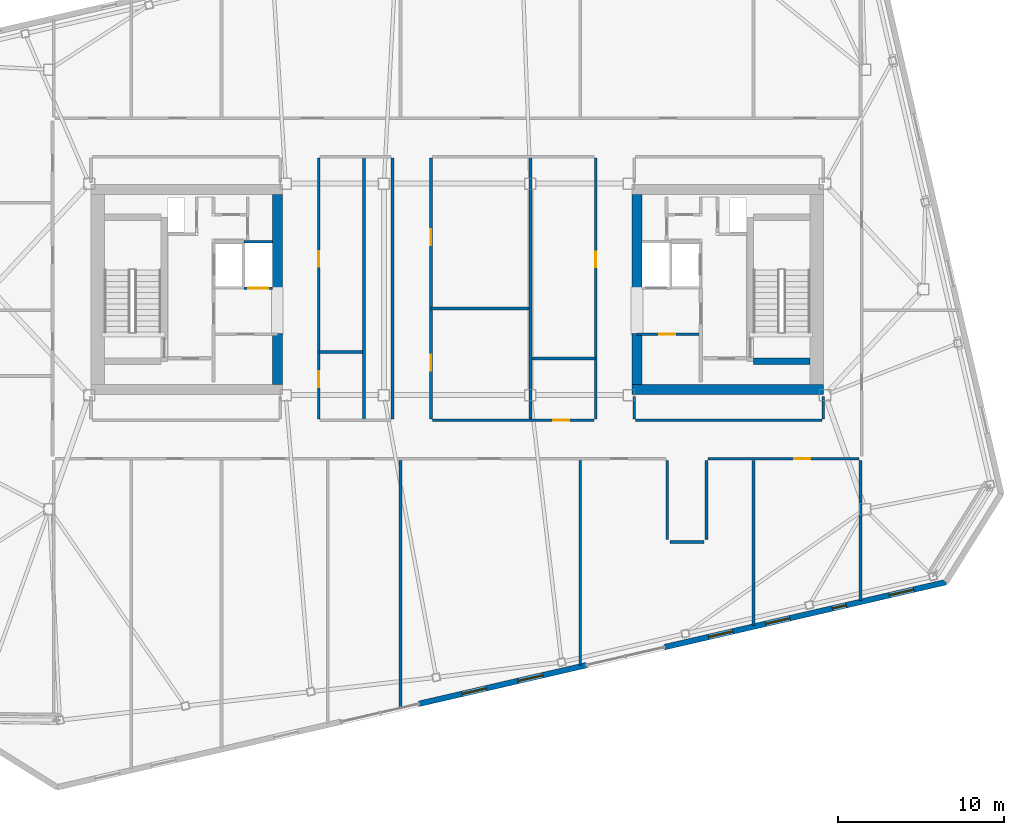
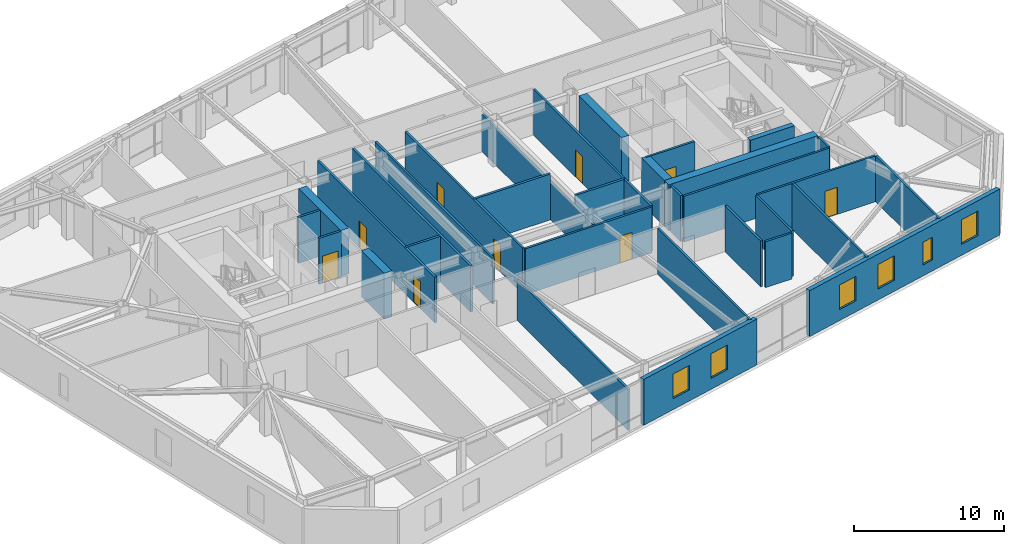
# One storey, part 17 of 23: 32 walls, 9 doors, 6 windows, 15 openings.
"""IFC4 building model written with IfcOpenShell, lengths in metres."""

from ifc_helpers import new_model, si_unit, direction, frame, frame_2d, origin, place, context, subcontext, project, spatial, rectangle, extrude, material, layer, layer_set, type_object, element, fill, save


model = new_model("IFC4")

# Units and contexts
model_context = context("Model", 3, precision=1e-05, world=origin(), true_north=direction((0.0, 1.0)))
body_context = subcontext(model_context, "Body", "Model", "MODEL_VIEW")
ifc_project = project(units=[si_unit("LENGTHUNIT", "METRE"), si_unit("AREAUNIT", "SQUARE_METRE"), si_unit("VOLUMEUNIT", "CUBIC_METRE"), si_unit("PLANEANGLEUNIT", "RADIAN"), si_unit("MASSUNIT", "GRAM", prefix="KILO")], contexts=[model_context])

# Site, building, storey
site_placement = place(None, origin())
site = spatial("IfcSite", under=ifc_project, at=site_placement, CompositionType="ELEMENT")
building_placement = place(site_placement, origin())
building = spatial("IfcBuilding", under=site, at=building_placement, Name="Tavrogorsk Clinical Tower", CompositionType="ELEMENT")
storey_placement = place(building_placement, frame((0.0, 0.0, 297.0)))
storey = spatial("IfcBuildingStorey", under=building, at=storey_placement, Name="L69", CompositionType="ELEMENT", Elevation=297.0)

# Wall, opening, door
ifc_material_1 = material(Name="Lightweight concrete blockwork B15", Category="masonry")
ifc_layer_1 = layer(ifc_material_1, 0.159912109375)
ifc_layer_set_1 = layer_set([ifc_layer_1], Name="Lightweight concrete blockwork B15")
wall_type_1 = type_object("IfcWallType", Name="PartitionWall_160", PredefinedType="PARTITIONING", material=ifc_layer_set_1)
wall_1_placement = place(storey_placement, frame((10.800048828125, -2.699951171875, 0.0), z_axis=(0.0, 0.0, 1.0), x_axis=(1.0, 0.0, 0.0)))
wall_1 = element("IfcWall", 1, at=wall_1_placement, inside=storey, type_object=wall_type_1, Name="L69 Core East Freed Mid-Bank North Partition", PredefinedType="PARTITIONING", context=body_context, shape_type="SweptSolid", body=[
    extrude(rectangle(XDim=3.73486328125, YDim=0.159912109375, at=frame_2d((1.867431640625, 0.0))), origin(), (0.0, 0.0, 1.0), 3.739990234375),
])
opening_1_placement = place(wall_1_placement, frame((1.35009765625, 0.0, 0.0)))
opening_1 = element("IfcOpeningElement", 2, at=opening_1_placement, cuts=wall_1, Name="Opening ID-02", PredefinedType="OPENING", context=body_context, shape_type="SweptSolid", body=[
    extrude(rectangle(XDim=0.949951171875, YDim=2.199951171875, at=frame_2d((0.47509765625, 1.10009765625))), frame((0.0, 0.08984375, 0.0), z_axis=(0.0, -1.0, 0.0), x_axis=(1.0, 0.0, 0.0)), (0.0, 0.0, 1.0), 0.179931640625),
])
ifc_material_2 = material(Name="Laminated timber leaf on aluminium frame", Category="wood")
door_type_1 = type_object("IfcDoorType", Name="InteriorDoor_ID02_950", OperationType="NOTDEFINED", PredefinedType="DOOR", material=ifc_material_2)
door_1_placement = place(opening_1_placement, origin())
door_1 = element("IfcDoor", 3, at=door_1_placement, inside=storey, type_object=door_type_1, Name="L69 Core East Pharmacy Prep Door", OperationType="SINGLE_SWING_LEFT", OverallHeight=2.199951171875, OverallWidth=0.949951171875, PredefinedType="DOOR", context=body_context, shape_type="SweptSolid", body=[
    extrude(rectangle(XDim=0.949951171875, YDim=2.199951171875, at=frame_2d((0.47509765625, 1.10009765625))), frame((0.0, 0.02490234375, 0.0), z_axis=(0.0, -1.0, 0.0), x_axis=(1.0, 0.0, 0.0)), (0.0, 0.0, 1.0), 0.050048828125),
])
fill(opening_1, door_1)

wall_2_placement = place(storey_placement, frame((24.14501953125, -10.179931640625, 0.0), z_axis=(0.0, 0.0, 1.0), x_axis=(-1.0, 0.0, 0.0)))
wall_2 = element("IfcWall", 4, at=wall_2_placement, inside=storey, type_object=wall_type_1, Name="L69 Corridor Partition 04", PredefinedType="PARTITIONING", context=body_context, shape_type="SweptSolid", body=[
    extrude(rectangle(XDim=9.080078125, YDim=0.159912109375, at=frame_2d((4.5400390625, 0.0))), origin(), (0.0, 0.0, 1.0), 3.739990234375),
])
opening_2_placement = place(wall_2_placement, frame((2.93408203125, 0.0, 0.0)))
opening_2 = element("IfcOpeningElement", 5, at=opening_2_placement, cuts=wall_2, Name="Opening ID-02", PredefinedType="OPENING", context=body_context, shape_type="SweptSolid", body=[
    extrude(rectangle(XDim=0.949951171875, YDim=2.199951171875, at=frame_2d((0.47509765625, 1.10009765625))), frame((0.0, 0.08984375, 0.0), z_axis=(0.0, -1.0, 0.0), x_axis=(1.0, 0.0, 0.0)), (0.0, 0.0, 1.0), 0.179931640625),
])
door_2_placement = place(opening_2_placement, origin())
door_2 = element("IfcDoor", 6, at=door_2_placement, inside=storey, type_object=door_type_1, Name="L69 South Clinical Case Seminar Room 06 Door", OperationType="SINGLE_SWING_LEFT", OverallHeight=2.199951171875, OverallWidth=0.949951171875, PredefinedType="DOOR", context=body_context, shape_type="SweptSolid", body=[
    extrude(rectangle(XDim=0.949951171875, YDim=2.199951171875, at=frame_2d((0.47509765625, 1.10009765625))), frame((0.0, 0.02490234375, 0.0), z_axis=(0.0, -1.0, 0.0), x_axis=(1.0, 0.0, 0.0)), (0.0, 0.0, 1.0), 0.050048828125),
])
fill(opening_2, door_2)

# Walls
wall_3_placement = place(storey_placement, frame((14.97998046875, -10.264892578125, 0.0), z_axis=(0.0, 0.0, 1.0), x_axis=(0.0, -1.0, 0.0)))
element("IfcWall", 7, at=wall_3_placement, inside=storey, type_object=wall_type_1, Name="L69 Corridor Partition 05", PredefinedType="PARTITIONING", context=body_context, shape_type="SweptSolid", body=[
    extrude(rectangle(XDim=4.75, YDim=0.159912109375, at=frame_2d((2.375, 0.0))), origin(), (0.0, 0.0, 1.0), 3.739990234375),
])
wall_4_placement = place(storey_placement, frame((14.81494140625, -15.179931640625, 0.0), z_axis=(0.0, 0.0, 1.0), x_axis=(-1.0, 0.0, 0.0)))
element("IfcWall", 8, at=wall_4_placement, inside=storey, type_object=wall_type_1, Name="L69 Corridor Partition 06", PredefinedType="PARTITIONING", context=body_context, shape_type="SweptSolid", body=[
    extrude(rectangle(XDim=2.030029296875, YDim=0.159912109375, at=frame_2d((1.01513671875, 0.0))), origin(), (0.0, 0.0, 1.0), 3.739990234375),
])
wall_5_placement = place(storey_placement, frame((12.6201171875, -15.014892578125, 0.0), z_axis=(0.0, 0.0, 1.0), x_axis=(0.0, 1.0, 0.0)))
element("IfcWall", 9, at=wall_5_placement, inside=storey, type_object=wall_type_1, Name="L69 Corridor Partition 07", PredefinedType="PARTITIONING", context=body_context, shape_type="SweptSolid", body=[
    extrude(rectangle(XDim=4.75, YDim=0.159912109375, at=frame_2d((2.375, 0.0))), origin(), (0.0, 0.0, 1.0), 3.739990234375),
])
wall_6_placement = place(storey_placement, frame((10.6298828125, -6.419921875, 0.0), z_axis=(0.0, 0.0, 1.0), x_axis=(0.0, -1.0, 0.0)))
element("IfcWall", 10, at=wall_6_placement, inside=storey, type_object=wall_type_1, Name="L69 Corridor Partition 11", PredefinedType="PARTITIONING", context=body_context, shape_type="SweptSolid", body=[
    extrude(rectangle(XDim=1.364990234375, YDim=0.159912109375, at=frame_2d((0.6826171875, 0.0))), origin(), (0.0, 0.0, 1.0), 3.739990234375),
])
wall_7_placement = place(storey_placement, frame((10.715087890625, -7.8701171875, 0.0), z_axis=(0.0, 0.0, 1.0), x_axis=(1.0, 0.0, 0.0)))
element("IfcWall", 11, at=wall_7_placement, inside=storey, type_object=wall_type_1, Name="L69 Corridor Partition 12", PredefinedType="PARTITIONING", context=body_context, shape_type="SweptSolid", body=[
    extrude(rectangle(XDim=11.199951171875, YDim=0.159912109375, at=frame_2d((5.60009765625, 0.0))), origin(), (0.0, 0.0, 1.0), 3.739990234375),
])
wall_8_placement = place(storey_placement, frame((22.0, -7.784912109375, 0.0), z_axis=(0.0, 0.0, 1.0), x_axis=(0.0, 1.0, 0.0)))
element("IfcWall", 12, at=wall_8_placement, inside=storey, type_object=wall_type_1, Name="L69 Corridor Partition 13", PredefinedType="PARTITIONING", context=body_context, shape_type="SweptSolid", body=[
    extrude(rectangle(XDim=1.364990234375, YDim=0.159912109375, at=frame_2d((0.6826171875, 0.0))), origin(), (0.0, 0.0, 1.0), 3.739990234375),
])

# Wall, openings, doors
wall_9_placement = place(storey_placement, frame((-1.570068359375, 7.885009765625, 0.0), z_axis=(0.0, 0.0, 1.0), x_axis=(0.0, -1.0, 0.0)))
wall_9 = element("IfcWall", 13, at=wall_9_placement, inside=storey, type_object=wall_type_1, Name="L69 Corridor Partition 16", PredefinedType="PARTITIONING", context=body_context, shape_type="SweptSolid", body=[
    extrude(rectangle(XDim=15.669921875, YDim=0.159912109375, at=frame_2d((7.8349609375, 0.0))), origin(), (0.0, 0.0, 1.0), 3.739990234375),
])
opening_3_placement = place(wall_9_placement, frame((11.810791015625, 0.0, 0.0)))
opening_3 = element("IfcOpeningElement", 14, at=opening_3_placement, cuts=wall_9, Name="Opening ID-02", PredefinedType="OPENING", context=body_context, shape_type="SweptSolid", body=[
    extrude(rectangle(XDim=0.949951171875, YDim=2.199951171875, at=frame_2d((0.47509765625, 1.10009765625))), frame((0.0, 0.08984375, 0.0), z_axis=(0.0, -1.0, 0.0), x_axis=(1.0, 0.0, 0.0)), (0.0, 0.0, 1.0), 0.179931640625),
])
opening_4_placement = place(wall_9_placement, frame((4.279052734375, 0.0, 0.0)))
opening_4 = element("IfcOpeningElement", 15, at=opening_4_placement, cuts=wall_9, Name="Opening ID-02", PredefinedType="OPENING", context=body_context, shape_type="SweptSolid", body=[
    extrude(rectangle(XDim=0.949951171875, YDim=2.199951171875, at=frame_2d((0.47509765625, 1.10009765625))), frame((0.0, 0.08984375, 0.0), z_axis=(0.0, -1.0, 0.0), x_axis=(1.0, 0.0, 0.0)), (0.0, 0.0, 1.0), 0.179931640625),
])
door_3_placement = place(opening_3_placement, origin())
door_3 = element("IfcDoor", 16, at=door_3_placement, inside=storey, type_object=door_type_1, Name="L69 Multidisciplinary Conference Room Door", OperationType="SINGLE_SWING_RIGHT", OverallHeight=2.199951171875, OverallWidth=0.949951171875, PredefinedType="DOOR", context=body_context, shape_type="SweptSolid", body=[
    extrude(rectangle(XDim=0.949951171875, YDim=2.199951171875, at=frame_2d((0.47509765625, 1.10009765625))), frame((0.0, 0.02490234375, 0.0), z_axis=(0.0, -1.0, 0.0), x_axis=(1.0, 0.0, 0.0)), (0.0, 0.0, 1.0), 0.050048828125),
])
fill(opening_3, door_3)
door_4_placement = place(opening_4_placement, origin())
door_4 = element("IfcDoor", 17, at=door_4_placement, inside=storey, type_object=door_type_1, Name="L69 Nurses' Station & Triage Hub Door", OperationType="SINGLE_SWING_LEFT", OverallHeight=2.199951171875, OverallWidth=0.949951171875, PredefinedType="DOOR", context=body_context, shape_type="SweptSolid", body=[
    extrude(rectangle(XDim=0.949951171875, YDim=2.199951171875, at=frame_2d((0.47509765625, 1.10009765625))), frame((0.0, 0.02490234375, 0.0), z_axis=(0.0, -1.0, 0.0), x_axis=(1.0, 0.0, 0.0)), (0.0, 0.0, 1.0), 0.050048828125),
])
fill(opening_4, door_4)

# Wall, opening, door
wall_10_placement = place(storey_placement, frame((-1.485107421875, -7.8701171875, 0.0), z_axis=(0.0, 0.0, 1.0), x_axis=(1.0, 0.0, 0.0)))
wall_10 = element("IfcWall", 18, at=wall_10_placement, inside=storey, type_object=wall_type_1, Name="L69 Corridor Partition 17", PredefinedType="PARTITIONING", context=body_context, shape_type="SweptSolid", body=[
    extrude(rectangle(XDim=9.72021484375, YDim=0.159912109375, at=frame_2d((4.860107421875, 0.0))), origin(), (0.0, 0.0, 1.0), 3.739990234375),
])
opening_5_placement = place(wall_10_placement, frame((7.260986328125, 0.0, 0.0)))
opening_5 = element("IfcOpeningElement", 19, at=opening_5_placement, cuts=wall_10, Name="Opening ID-02", PredefinedType="OPENING", context=body_context, shape_type="SweptSolid", body=[
    extrude(rectangle(XDim=0.949951171875, YDim=2.199951171875, at=frame_2d((0.47509765625, 1.10009765625))), frame((0.0, 0.08984375, 0.0), z_axis=(0.0, -1.0, 0.0), x_axis=(1.0, 0.0, 0.0)), (0.0, 0.0, 1.0), 0.179931640625),
])
door_5_placement = place(opening_5_placement, origin())
door_5 = element("IfcDoor", 20, at=door_5_placement, inside=storey, type_object=door_type_1, Name="L69 Staff & Visitor Accessible WC Door", OperationType="SINGLE_SWING_RIGHT", OverallHeight=2.199951171875, OverallWidth=0.949951171875, PredefinedType="DOOR", context=body_context, shape_type="SweptSolid", body=[
    extrude(rectangle(XDim=0.949951171875, YDim=2.199951171875, at=frame_2d((0.47509765625, 1.10009765625))), frame((0.0, 0.02490234375, 0.0), z_axis=(0.0, -1.0, 0.0), x_axis=(1.0, 0.0, 0.0)), (0.0, 0.0, 1.0), 0.050048828125),
])
fill(opening_5, door_5)

wall_11_placement = place(storey_placement, frame((8.320068359375, -7.784912109375, 0.0), z_axis=(0.0, 0.0, 1.0), x_axis=(0.0, 1.0, 0.0)))
wall_11 = element("IfcWall", 21, at=wall_11_placement, inside=storey, type_object=wall_type_1, Name="L69 Corridor Partition 18", PredefinedType="PARTITIONING", context=body_context, shape_type="SweptSolid", body=[
    extrude(rectangle(XDim=15.669921875, YDim=0.159912109375, at=frame_2d((7.8349609375, 0.0))), origin(), (0.0, 0.0, 1.0), 3.739990234375),
])
opening_6_placement = place(wall_11_placement, frame((9.11083984375, 0.0, 0.0)))
opening_6 = element("IfcOpeningElement", 22, at=opening_6_placement, cuts=wall_11, Name="Opening ID-02", PredefinedType="OPENING", context=body_context, shape_type="SweptSolid", body=[
    extrude(rectangle(XDim=0.949951171875, YDim=2.199951171875, at=frame_2d((0.47509765625, 1.10009765625))), frame((0.0, 0.08984375, 0.0), z_axis=(0.0, -1.0, 0.0), x_axis=(1.0, 0.0, 0.0)), (0.0, 0.0, 1.0), 0.179931640625),
])
door_6_placement = place(opening_6_placement, origin())
door_6 = element("IfcDoor", 23, at=door_6_placement, inside=storey, type_object=door_type_1, Name="L69 Attending Physician Office Door", OperationType="SINGLE_SWING_LEFT", OverallHeight=2.199951171875, OverallWidth=0.949951171875, PredefinedType="DOOR", context=body_context, shape_type="SweptSolid", body=[
    extrude(rectangle(XDim=0.949951171875, YDim=2.199951171875, at=frame_2d((0.47509765625, 1.10009765625))), frame((0.0, 0.02490234375, 0.0), z_axis=(0.0, -1.0, 0.0), x_axis=(1.0, 0.0, 0.0)), (0.0, 0.0, 1.0), 0.050048828125),
])
fill(opening_6, door_6)

# Wall
wall_12_placement = place(storey_placement, frame((-3.8798828125, -7.784912109375, 0.0), z_axis=(0.0, 0.0, 1.0), x_axis=(0.0, 1.0, 0.0)))
element("IfcWall", 24, at=wall_12_placement, inside=storey, type_object=wall_type_1, Name="L69 Corridor Partition 19", PredefinedType="PARTITIONING", context=body_context, shape_type="SweptSolid", body=[
    extrude(rectangle(XDim=15.669921875, YDim=0.159912109375, at=frame_2d((7.8349609375, 0.0))), origin(), (0.0, 0.0, 1.0), 3.739990234375),
])

# Wall, openings, doors
wall_13_placement = place(storey_placement, frame((-8.320068359375, 7.885009765625, 0.0), z_axis=(0.0, 0.0, 1.0), x_axis=(0.0, -1.0, 0.0)))
wall_13 = element("IfcWall", 25, at=wall_13_placement, inside=storey, type_object=wall_type_1, Name="L69 Corridor Partition 21", PredefinedType="PARTITIONING", context=body_context, shape_type="SweptSolid", body=[
    extrude(rectangle(XDim=15.669921875, YDim=0.159912109375, at=frame_2d((7.8349609375, 0.0))), origin(), (0.0, 0.0, 1.0), 3.739990234375),
])
opening_7_placement = place(wall_13_placement, frame((12.810791015625, 0.0, 0.0)))
opening_7 = element("IfcOpeningElement", 26, at=opening_7_placement, cuts=wall_13, Name="Opening ID-02", PredefinedType="OPENING", context=body_context, shape_type="SweptSolid", body=[
    extrude(rectangle(XDim=0.949951171875, YDim=2.199951171875, at=frame_2d((0.47509765625, 1.10009765625))), frame((0.0, 0.08984375, 0.0), z_axis=(0.0, -1.0, 0.0), x_axis=(1.0, 0.0, 0.0)), (0.0, 0.0, 1.0), 0.179931640625),
])
opening_8_placement = place(wall_13_placement, frame((5.5791015625, 0.0, 0.0)))
opening_8 = element("IfcOpeningElement", 27, at=opening_8_placement, cuts=wall_13, Name="Opening ID-02", PredefinedType="OPENING", context=body_context, shape_type="SweptSolid", body=[
    extrude(rectangle(XDim=0.949951171875, YDim=2.199951171875, at=frame_2d((0.47509765625, 1.10009765625))), frame((0.0, 0.08984375, 0.0), z_axis=(0.0, -1.0, 0.0), x_axis=(1.0, 0.0, 0.0)), (0.0, 0.0, 1.0), 0.179931640625),
])
door_7_placement = place(opening_7_placement, origin())
door_7 = element("IfcDoor", 28, at=door_7_placement, inside=storey, type_object=door_type_1, Name="L69 Accessible Patient Lavatory Door", OperationType="SINGLE_SWING_RIGHT", OverallHeight=2.199951171875, OverallWidth=0.949951171875, PredefinedType="DOOR", context=body_context, shape_type="SweptSolid", body=[
    extrude(rectangle(XDim=0.949951171875, YDim=2.199951171875, at=frame_2d((0.47509765625, 1.10009765625))), frame((0.0, 0.02490234375, 0.0), z_axis=(0.0, -1.0, 0.0), x_axis=(1.0, 0.0, 0.0)), (0.0, 0.0, 1.0), 0.050048828125),
])
fill(opening_7, door_7)
door_8_placement = place(opening_8_placement, origin())
door_8 = element("IfcDoor", 29, at=door_8_placement, inside=storey, type_object=door_type_1, Name="L69 Ward Nourishment Pantry Door", OperationType="SINGLE_SWING_LEFT", OverallHeight=2.199951171875, OverallWidth=0.949951171875, PredefinedType="DOOR", context=body_context, shape_type="SweptSolid", body=[
    extrude(rectangle(XDim=0.949951171875, YDim=2.199951171875, at=frame_2d((0.47509765625, 1.10009765625))), frame((0.0, 0.02490234375, 0.0), z_axis=(0.0, -1.0, 0.0), x_axis=(1.0, 0.0, 0.0)), (0.0, 0.0, 1.0), 0.050048828125),
])
fill(opening_8, door_8)

# Walls
wall_14_placement = place(storey_placement, frame((24.22998046875, -18.702880859375, 0.0), z_axis=(0.0, 0.0, 1.0), x_axis=(0.0, 1.0, 0.0)))
element("IfcWall", 30, at=wall_14_placement, inside=storey, type_object=wall_type_1, Name="L69 SE Wing Closure Partition", PredefinedType="PARTITIONING", context=body_context, shape_type="SweptSolid", body=[
    extrude(rectangle(XDim=8.43798828125, YDim=0.159912109375, at=frame_2d((4.218994140625, 0.0))), origin(), (0.0, 0.0, 1.0), 3.739990234375),
])
wall_15_placement = place(storey_placement, frame((-3.39990234375, -25.081787109375, 0.0), z_axis=(0.0, 0.0, 1.0), x_axis=(0.0, 1.0, 0.0)))
element("IfcWall", 31, at=wall_15_placement, inside=storey, type_object=wall_type_1, Name="L69 South Room Partition 3", PredefinedType="PARTITIONING", context=body_context, shape_type="SweptSolid", body=[
    extrude(rectangle(XDim=14.81689453125, YDim=0.159912109375, at=frame_2d((7.408447265625, 0.0))), origin(), (0.0, 0.0, 1.0), 3.3349609375),
])
wall_16_placement = place(storey_placement, frame((7.39990234375, -22.58837890625, 0.0), z_axis=(0.0, 0.0, 1.0), x_axis=(0.0, 1.0, 0.0)))
element("IfcWall", 32, at=wall_16_placement, inside=storey, type_object=wall_type_1, Name="L69 South Room Partition 4", PredefinedType="PARTITIONING", context=body_context, shape_type="SweptSolid", body=[
    extrude(rectangle(XDim=12.323486328125, YDim=0.159912109375, at=frame_2d((6.16162109375, 0.0))), origin(), (0.0, 0.0, 1.0), 3.739990234375),
])
wall_17_placement = place(storey_placement, frame((17.800048828125, -20.187255859375, 0.0), z_axis=(0.0, 0.0, 1.0), x_axis=(0.0, 1.0, 0.0)))
element("IfcWall", 33, at=wall_17_placement, inside=storey, type_object=wall_type_1, Name="L69 South Room Partition 5", PredefinedType="PARTITIONING", context=body_context, shape_type="SweptSolid", body=[
    extrude(rectangle(XDim=9.92236328125, YDim=0.159912109375, at=frame_2d((4.961181640625, 0.0))), origin(), (0.0, 0.0, 1.0), 3.739990234375),
])
ifc_material_3 = material(Name="Lightweight concrete blockwork B20", Category="masonry")
ifc_layer_2 = layer(ifc_material_3, 0.179931640625)
ifc_layer_set_2 = layer_set([ifc_layer_2], Name="Lightweight concrete blockwork B20")
wall_type_2 = type_object("IfcWallType", Name="PartitionWall_180", PredefinedType="PARTITIONING", material=ifc_layer_set_2)
wall_18_placement = place(storey_placement, frame((-5.60009765625, -7.864990234375, 0.0), z_axis=(0.0, 0.0, 1.0), x_axis=(0.0, 1.0, 0.0)))
element("IfcWall", 34, at=wall_18_placement, inside=storey, type_object=wall_type_2, Name="L69 Central Spine Partition 1", PredefinedType="PARTITIONING", context=body_context, shape_type="SweptSolid", body=[
    extrude(rectangle(XDim=15.830078125, YDim=0.179931640625, at=frame_2d((7.9150390625, 0.0))), origin(), (0.0, 0.0, 1.0), 3.739990234375),
])
wall_19_placement = place(storey_placement, frame((4.39990234375, -7.864990234375, 0.0), z_axis=(0.0, 0.0, 1.0), x_axis=(0.0, 1.0, 0.0)))
element("IfcWall", 35, at=wall_19_placement, inside=storey, type_object=wall_type_2, Name="L69 Central Spine Partition 2", PredefinedType="PARTITIONING", context=body_context, shape_type="SweptSolid", body=[
    extrude(rectangle(XDim=15.830078125, YDim=0.179931640625, at=frame_2d((7.9150390625, 0.0))), origin(), (0.0, 0.0, 1.0), 3.034912109375),
])
wall_20_placement = place(storey_placement, frame((-1.56494140625, -1.14990234375, 0.0), z_axis=(0.0, 0.0, 1.0), x_axis=(1.0, 0.0, 0.0)))
element("IfcWall", 36, at=wall_20_placement, inside=storey, type_object=wall_type_2, Name="L69 Central Spine Partition 3", PredefinedType="PARTITIONING", context=body_context, shape_type="SweptSolid", body=[
    extrude(rectangle(XDim=5.869873046875, YDim=0.179931640625, at=frame_2d((2.93505859375, 0.0))), origin(), (0.0, 0.0, 1.0), 3.739990234375),
])
wall_21_placement = place(storey_placement, frame((-8.31494140625, -3.75, 0.0), z_axis=(0.0, 0.0, 1.0), x_axis=(1.0, 0.0, 0.0)))
element("IfcWall", 37, at=wall_21_placement, inside=storey, type_object=wall_type_2, Name="L69 Central Spine Partition 4", PredefinedType="PARTITIONING", context=body_context, shape_type="SweptSolid", body=[
    extrude(rectangle(XDim=2.619873046875, YDim=0.179931640625, at=frame_2d((1.31005859375, 0.0))), origin(), (0.0, 0.0, 1.0), 3.739990234375),
])
wall_22_placement = place(storey_placement, frame((4.4951171875, -4.14990234375, 0.0), z_axis=(0.0, 0.0, 1.0), x_axis=(1.0, 0.0, 0.0)))
element("IfcWall", 38, at=wall_22_placement, inside=storey, type_object=wall_type_2, Name="L69 Central Spine Partition 5", PredefinedType="PARTITIONING", context=body_context, shape_type="SweptSolid", body=[
    extrude(rectangle(XDim=3.81982421875, YDim=0.179931640625, at=frame_2d((1.909912109375, 0.0))), origin(), (0.0, 0.0, 1.0), 3.739990234375),
])

# Wall, openings, windows
ifc_material_4 = material(Name="Precast concrete B45 with limestone cladding", Category="masonry")
ifc_layer_3 = layer(ifc_material_4, 0.340087890625)
ifc_layer_set_3 = layer_set([ifc_layer_3], Name="Precast concrete B45 with limestone cladding")
wall_type_3 = type_object("IfcWallType", Name="PrecastLimestoneWall_340", PredefinedType="STANDARD", material=ifc_layer_set_3)
wall_23_placement = place(storey_placement, frame((-2.294921875, -24.8984375, 0.0), z_axis=(0.0, 0.0, 1.0), x_axis=(0.974370872906, 0.224947553958, 0.0)))
wall_23 = element("IfcWall", 39, at=wall_23_placement, inside=storey, type_object=wall_type_3, Name="L69 S Limestone Facade Wall 2", PredefinedType="STANDARD", context=body_context, shape_type="SweptSolid", body=[
    extrude(rectangle(XDim=10.327880859375, YDim=0.340087890625, at=frame_2d((5.1640625, 0.0))), origin(), (0.0, 0.0, 1.0), 3.739990234375),
])
opening_9_placement = place(wall_23_placement, frame((2.65478515625, 0.0, 0.89990234375)))
opening_9 = element("IfcOpeningElement", 40, at=opening_9_placement, cuts=wall_23, Name="Opening WN-05", PredefinedType="OPENING", context=body_context, shape_type="SweptSolid", body=[
    extrude(rectangle(XDim=1.5, YDim=2.0, at=frame_2d((0.75, 1.0))), frame((0.0, 0.179931640625, 0.0), z_axis=(0.0, -1.0, 0.0), x_axis=(1.0, 0.0, 0.0)), (0.0, 0.0, 1.0), 0.360107421875),
])
opening_10_placement = place(wall_23_placement, frame((6.124267578125, 0.0, 0.89990234375)))
opening_10 = element("IfcOpeningElement", 41, at=opening_10_placement, cuts=wall_23, Name="Opening WN-05", PredefinedType="OPENING", context=body_context, shape_type="SweptSolid", body=[
    extrude(rectangle(XDim=1.5, YDim=2.0, at=frame_2d((0.75, 1.0))), frame((0.0, 0.179931640625, 0.0), z_axis=(0.0, -1.0, 0.0), x_axis=(1.0, 0.0, 0.0)), (0.0, 0.0, 1.0), 0.360107421875),
])
ifc_material_5 = material(Name="Thermally broken aluminium frame and triple IGU", Category="aluminium")
window_type_1 = type_object("IfcWindowType", Name="ConsultWin_1500x2000", PartitioningType="SINGLE_PANEL", PredefinedType="WINDOW", material=ifc_material_5)
window_1_placement = place(opening_9_placement, origin())
window_1 = element("IfcWindow", 42, at=window_1_placement, inside=storey, type_object=window_type_1, Name="L69 S Chicago Window 05", OverallHeight=2.0, OverallWidth=1.5, PartitioningType="SINGLE_PANEL", PredefinedType="WINDOW", context=body_context, shape_type="SweptSolid", body=[
    extrude(rectangle(XDim=1.5, YDim=2.0, at=frame_2d((0.75, 1.0))), frame((0.0, 0.030029296875, 0.0), z_axis=(0.0, -1.0, 0.0), x_axis=(1.0, 0.0, 0.0)), (0.0, 0.0, 1.0), 0.06005859375),
])
fill(opening_9, window_1)
window_2_placement = place(opening_10_placement, origin())
window_2 = element("IfcWindow", 43, at=window_2_placement, inside=storey, type_object=window_type_1, Name="L69 S Chicago Window 06", OverallHeight=2.0, OverallWidth=1.5, PartitioningType="SINGLE_PANEL", PredefinedType="WINDOW", context=body_context, shape_type="SweptSolid", body=[
    extrude(rectangle(XDim=1.5, YDim=2.0, at=frame_2d((0.75, 1.0))), frame((0.0, 0.030029296875, 0.0), z_axis=(0.0, -1.0, 0.0), x_axis=(1.0, 0.0, 0.0)), (0.0, 0.0, 1.0), 0.06005859375),
])
fill(opening_10, window_2)

wall_24_placement = place(storey_placement, frame((12.4453125, -21.495361328125, 0.0), z_axis=(0.0, 0.0, 1.0), x_axis=(0.974369392164, 0.224953967767, 0.0)))
wall_24 = element("IfcWall", 44, at=wall_24_placement, inside=storey, type_object=wall_type_3, Name="L69 S Limestone Facade Wall 3", PredefinedType="STANDARD", context=body_context, shape_type="SweptSolid", body=[
    extrude(rectangle(XDim=17.36572265625, YDim=0.340087890625, at=frame_2d((8.682861328125, 0.0))), origin(), (0.0, 0.0, 1.0), 3.739990234375),
])
opening_11_placement = place(wall_24_placement, frame((2.728515625, 0.0, 0.89990234375)))
opening_11 = element("IfcOpeningElement", 45, at=opening_11_placement, cuts=wall_24, Name="Opening WN-05", PredefinedType="OPENING", context=body_context, shape_type="SweptSolid", body=[
    extrude(rectangle(XDim=1.5, YDim=2.0, at=frame_2d((0.75, 1.0))), frame((0.0, 0.179931640625, 0.0), z_axis=(0.0, -1.0, 0.0), x_axis=(1.0, 0.0, 0.0)), (0.0, 0.0, 1.0), 0.360107421875),
])
opening_12_placement = place(wall_24_placement, frame((6.240234375, 0.0, 0.89990234375)))
opening_12 = element("IfcOpeningElement", 46, at=opening_12_placement, cuts=wall_24, Name="Opening WN-05", PredefinedType="OPENING", context=body_context, shape_type="SweptSolid", body=[
    extrude(rectangle(XDim=1.5, YDim=2.0, at=frame_2d((0.75, 1.0))), frame((0.0, 0.179931640625, 0.0), z_axis=(0.0, -1.0, 0.0), x_axis=(1.0, 0.0, 0.0)), (0.0, 0.0, 1.0), 0.360107421875),
])
opening_13_placement = place(wall_24_placement, frame((10.36279296875, 0.0, 0.89990234375)))
opening_13 = element("IfcOpeningElement", 47, at=opening_13_placement, cuts=wall_24, Name="Opening WN-06", PredefinedType="OPENING", context=body_context, shape_type="SweptSolid", body=[
    extrude(rectangle(XDim=0.85009765625, YDim=1.85009765625, at=frame_2d((0.425048828125, 0.925048828125))), frame((0.0, 0.179931640625, 0.0), z_axis=(0.0, -1.0, 0.0), x_axis=(1.0, 0.0, 0.0)), (0.0, 0.0, 1.0), 0.360107421875),
])
opening_14_placement = place(wall_24_placement, frame((13.87451171875, 0.0, 0.89990234375)))
opening_14 = element("IfcOpeningElement", 48, at=opening_14_placement, cuts=wall_24, Name="Opening WN-05", PredefinedType="OPENING", context=body_context, shape_type="SweptSolid", body=[
    extrude(rectangle(XDim=1.5, YDim=2.0, at=frame_2d((0.75, 1.0))), frame((0.0, 0.179931640625, 0.0), z_axis=(0.0, -1.0, 0.0), x_axis=(1.0, 0.0, 0.0)), (0.0, 0.0, 1.0), 0.360107421875),
])
window_3_placement = place(opening_11_placement, origin())
window_3 = element("IfcWindow", 49, at=window_3_placement, inside=storey, type_object=window_type_1, Name="L69 S Chicago Window 07", OverallHeight=2.0, OverallWidth=1.5, PartitioningType="SINGLE_PANEL", PredefinedType="WINDOW", context=body_context, shape_type="SweptSolid", body=[
    extrude(rectangle(XDim=1.5, YDim=2.0, at=frame_2d((0.75, 1.0))), frame((0.0, 0.030029296875, 0.0), z_axis=(0.0, -1.0, 0.0), x_axis=(1.0, 0.0, 0.0)), (0.0, 0.0, 1.0), 0.06005859375),
])
fill(opening_11, window_3)
window_4_placement = place(opening_12_placement, origin())
window_4 = element("IfcWindow", 50, at=window_4_placement, inside=storey, type_object=window_type_1, Name="L69 S Chicago Window 08", OverallHeight=2.0, OverallWidth=1.5, PartitioningType="SINGLE_PANEL", PredefinedType="WINDOW", context=body_context, shape_type="SweptSolid", body=[
    extrude(rectangle(XDim=1.5, YDim=2.0, at=frame_2d((0.75, 1.0))), frame((0.0, 0.030029296875, 0.0), z_axis=(0.0, -1.0, 0.0), x_axis=(1.0, 0.0, 0.0)), (0.0, 0.0, 1.0), 0.06005859375),
])
fill(opening_12, window_4)
window_5_placement = place(opening_14_placement, origin())
window_5 = element("IfcWindow", 51, at=window_5_placement, inside=storey, type_object=window_type_1, Name="L69 S Chicago Window 10", OverallHeight=2.0, OverallWidth=1.5, PartitioningType="SINGLE_PANEL", PredefinedType="WINDOW", context=body_context, shape_type="SweptSolid", body=[
    extrude(rectangle(XDim=1.5, YDim=2.0, at=frame_2d((0.75, 1.0))), frame((0.0, 0.030029296875, 0.0), z_axis=(0.0, -1.0, 0.0), x_axis=(1.0, 0.0, 0.0)), (0.0, 0.0, 1.0), 0.06005859375),
])
fill(opening_14, window_5)
ifc_material_6 = material(Name="Thermally broken aluminium frame and triple IGU", Category="aluminium")
window_type_2 = type_object("IfcWindowType", Name="MullionSubWin_850x1850", PartitioningType="SINGLE_PANEL", PredefinedType="WINDOW", material=ifc_material_6)
window_6_placement = place(opening_13_placement, origin())
window_6 = element("IfcWindow", 52, at=window_6_placement, inside=storey, type_object=window_type_2, Name="L69 S Mullion Split Window 09A", OverallHeight=1.85009765625, OverallWidth=0.85009765625, PartitioningType="SINGLE_PANEL", PredefinedType="WINDOW", context=body_context, shape_type="SweptSolid", body=[
    extrude(rectangle(XDim=0.85009765625, YDim=1.85009765625, at=frame_2d((0.425048828125, 0.925048828125))), frame((0.0, 0.030029296875, 0.0), z_axis=(0.0, -1.0, 0.0), x_axis=(1.0, 0.0, 0.0)), (0.0, 0.0, 1.0), 0.06005859375),
])
fill(opening_13, window_6)

# Wall, opening, door
ifc_material_7 = material(Name="Lightweight concrete blockwork B25", Category="masonry")
ifc_layer_4 = layer(ifc_material_7, 0.159912109375)
ifc_layer_set_4 = layer_set([ifc_layer_4], Name="Lightweight concrete blockwork B25")
wall_type_4 = type_object("IfcWallType", Name="ShaftWall_160", PredefinedType="PARTITIONING", material=ifc_layer_set_4)
wall_25_placement = place(storey_placement, frame((-12.820068359375, 0.06005859375, 0.0), z_axis=(0.0, 0.0, 1.0), x_axis=(1.0, 0.0, 0.0)))
wall_25 = element("IfcWall", 53, at=wall_25_placement, inside=storey, type_object=wall_type_4, Name="L69 LP-H1 High-Zone Lift Portal Wall", PredefinedType="PARTITIONING", context=body_context, shape_type="SweptSolid", body=[
    extrude(rectangle(XDim=1.719970703125, YDim=0.159912109375, at=frame_2d((0.85986328125, 0.0))), origin(), (0.0, 0.0, 1.0), 3.739990234375),
])
opening_15_placement = place(wall_25_placement, frame((0.260009765625, 0.0, 0.0)))
opening_15 = element("IfcOpeningElement", 54, at=opening_15_placement, cuts=wall_25, Name="Opening LD", PredefinedType="OPENING", context=body_context, shape_type="SweptSolid", body=[
    extrude(rectangle(XDim=1.199951171875, YDim=2.199951171875, at=frame_2d((0.60009765625, 1.10009765625))), frame((0.0, 0.08984375, 0.0), z_axis=(0.0, -1.0, 0.0), x_axis=(1.0, 0.0, 0.0)), (0.0, 0.0, 1.0), 0.179931640625),
])
ifc_material_8 = material(Name="Brushed stainless steel AISI 304 sliding doors", Category="steel")
door_type_2 = type_object("IfcDoorType", Name="LiftLandingDoor_LD_1200", OperationType="SLIDING_TO_LEFT", PredefinedType="DOOR", material=ifc_material_8)
door_9_placement = place(opening_15_placement, origin())
door_9 = element("IfcDoor", 55, at=door_9_placement, inside=storey, type_object=door_type_2, Name="L69 LP-H1 Sliding Lift Landing Door", OperationType="SLIDING_TO_LEFT", OverallHeight=2.199951171875, OverallWidth=1.199951171875, PredefinedType="DOOR", context=body_context, shape_type="SweptSolid", body=[
    extrude(rectangle(XDim=1.199951171875, YDim=2.199951171875, at=frame_2d((0.60009765625, 1.10009765625))), frame((0.0, 0.02490234375, 0.0), z_axis=(0.0, -1.0, 0.0), x_axis=(1.0, 0.0, 0.0)), (0.0, 0.0, 1.0), 0.050048828125),
])
fill(opening_15, door_9)

# Walls
wall_26_placement = place(storey_placement, frame((-12.820068359375, 2.860107421875, 0.0), z_axis=(0.0, 0.0, 1.0), x_axis=(1.0, 0.0, 0.0)))
element("IfcWall", 56, at=wall_26_placement, inside=storey, type_object=wall_type_4, Name="L69 LP-H1 High-Zone Lift Rear Wall", PredefinedType="PARTITIONING", context=body_context, shape_type="SweptSolid", body=[
    extrude(rectangle(XDim=1.719970703125, YDim=0.159912109375, at=frame_2d((0.85986328125, 0.0))), origin(), (0.0, 0.0, 1.0), 3.739990234375),
])
ifc_material_9 = material(Name="Concrete B80", Category="concrete")
ifc_layer_5 = layer(ifc_material_9, 0.39990234375)
ifc_layer_set_5 = layer_set([ifc_layer_5], Name="Concrete B80")
wall_type_5 = type_object("IfcWallType", Name="ShearWall_400", PredefinedType="SHEAR", material=ifc_layer_set_5)
wall_27_placement = place(storey_placement, frame((17.800048828125, -4.324951171875, 0.0), z_axis=(0.0, 0.0, 1.0), x_axis=(1.0, 0.0, 0.0)))
element("IfcWall", 57, at=wall_27_placement, inside=storey, type_object=wall_type_5, Name="L69 Core East Stair Shaft South Shear Wall", PredefinedType="SHEAR", context=body_context, shape_type="SweptSolid", body=[
    extrude(rectangle(XDim=3.39990234375, YDim=0.39990234375, at=frame_2d((1.699951171875, 0.0))), origin(), (0.0, 0.0, 1.0), 3.739990234375),
])
ifc_material_10 = material(Name="Concrete B80", Category="concrete")
ifc_layer_6 = layer(ifc_material_10, 0.60009765625)
ifc_layer_set_6 = layer_set([ifc_layer_6], Name="Concrete B80")
wall_type_6 = type_object("IfcWallType", Name="ShearWall_600", PredefinedType="SHEAR", material=ifc_layer_set_6)
wall_28_placement = place(storey_placement, frame((-10.800048828125, -5.699951171875, 0.0), z_axis=(0.0, 0.0, 1.0), x_axis=(0.0, 1.0, 0.0)))
element("IfcWall", 58, at=wall_28_placement, inside=storey, type_object=wall_type_6, Name="L69 Core West Inner South Pier", PredefinedType="SHEAR", context=body_context, shape_type="SweptSolid", body=[
    extrude(rectangle(XDim=3.050048828125, YDim=0.60009765625, at=frame_2d((1.52490234375, 0.0))), origin(), (0.0, 0.0, 1.0), 3.739990234375),
])
wall_29_placement = place(storey_placement, frame((-10.800048828125, 0.050048828125, 0.0), z_axis=(0.0, 0.0, 1.0), x_axis=(0.0, 1.0, 0.0)))
element("IfcWall", 59, at=wall_29_placement, inside=storey, type_object=wall_type_6, Name="L69 Core West Inner North Pier", PredefinedType="SHEAR", context=body_context, shape_type="SweptSolid", body=[
    extrude(rectangle(XDim=5.64990234375, YDim=0.60009765625, at=frame_2d((2.824951171875, 0.0))), origin(), (0.0, 0.0, 1.0), 3.739990234375),
])
wall_30_placement = place(storey_placement, frame((10.5, -6.0, 0.0), z_axis=(0.0, 0.0, 1.0), x_axis=(1.0, 0.0, 0.0)))
element("IfcWall", 60, at=wall_30_placement, inside=storey, type_object=wall_type_6, Name="L69 Core East South Shear Wall", PredefinedType="SHEAR", context=body_context, shape_type="SweptSolid", body=[
    extrude(rectangle(XDim=11.5, YDim=0.60009765625, at=frame_2d((5.75, 0.0))), origin(), (0.0, 0.0, 1.0), 3.739990234375),
])
wall_31_placement = place(storey_placement, frame((10.800048828125, -5.699951171875, 0.0), z_axis=(0.0, 0.0, 1.0), x_axis=(0.0, 1.0, 0.0)))
element("IfcWall", 61, at=wall_31_placement, inside=storey, type_object=wall_type_6, Name="L69 Core East Inner South Pier", PredefinedType="SHEAR", context=body_context, shape_type="SweptSolid", body=[
    extrude(rectangle(XDim=3.050048828125, YDim=0.60009765625, at=frame_2d((1.52490234375, 0.0))), origin(), (0.0, 0.0, 1.0), 3.739990234375),
])
wall_32_placement = place(storey_placement, frame((10.800048828125, 0.050048828125, 0.0), z_axis=(0.0, 0.0, 1.0), x_axis=(0.0, 1.0, 0.0)))
element("IfcWall", 62, at=wall_32_placement, inside=storey, type_object=wall_type_6, Name="L69 Core East Inner North Pier", PredefinedType="SHEAR", context=body_context, shape_type="SweptSolid", body=[
    extrude(rectangle(XDim=5.64990234375, YDim=0.60009765625, at=frame_2d((2.824951171875, 0.0))), origin(), (0.0, 0.0, 1.0), 3.739990234375),
])

save(model, "model.ifc")
